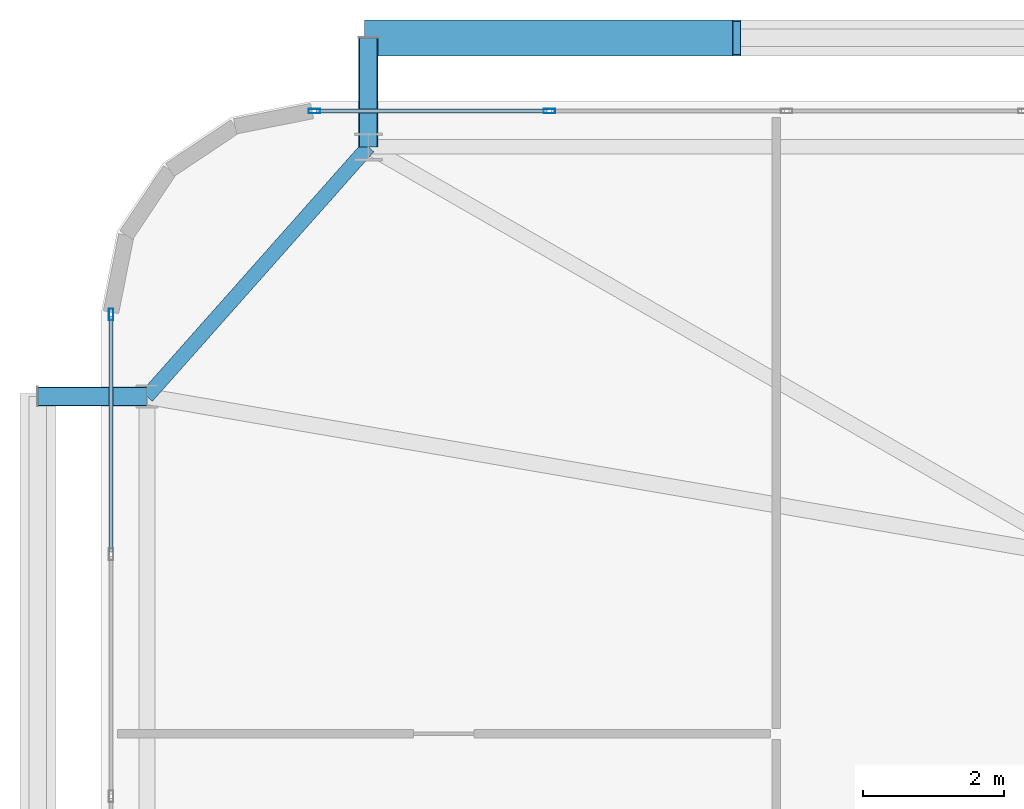
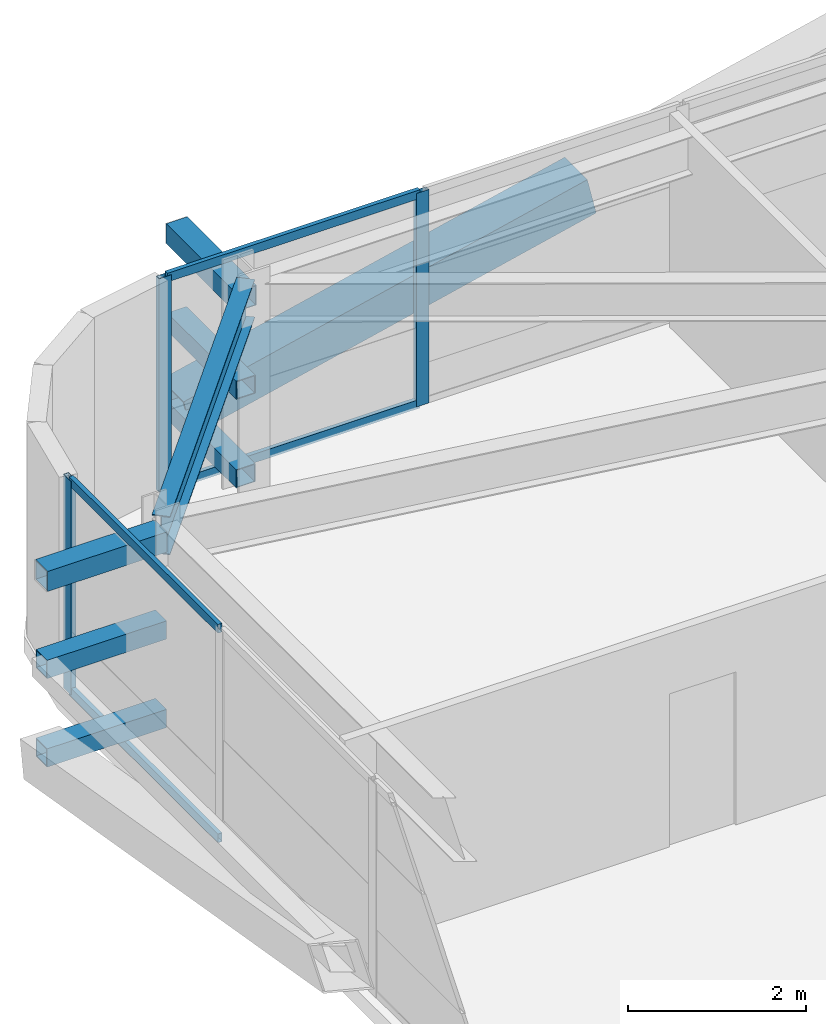
# One storey, part 33 of 59: 14 members, 1 beam, 2 elements without a shape of their own.
"""IFC4 building model written with IfcOpenShell, lengths in metres."""

from ifc_helpers import new_model, si_unit, direction, frame, origin, origin_2d, place, context, subcontext, project, spatial, hollow_rectangle, i_section, extrude, source, transform, mapped, material, layer, layer_set, material_profile, profile_set, type_object, element, aggregate, save


model = new_model("IFC4")

# Units and contexts
model_context = context("Model", 3, precision=1e-05, world=origin(), true_north=direction((0.0, 1.0)))
body_context = subcontext(model_context, "Body", "Model", "MODEL_VIEW")
ifc_project = project(units=[si_unit("LENGTHUNIT", "METRE"), si_unit("AREAUNIT", "SQUARE_METRE"), si_unit("VOLUMEUNIT", "CUBIC_METRE"), si_unit("PLANEANGLEUNIT", "RADIAN"), si_unit("MASSUNIT", "GRAM", prefix="KILO")], contexts=[model_context])

# Site, building, storey
site_placement = place(None, origin())
site = spatial("IfcSite", under=ifc_project, at=site_placement, CompositionType="ELEMENT")
building_placement = place(site_placement, origin())
building = spatial("IfcBuilding", under=site, at=building_placement, Name="Taldren Reach Tower", CompositionType="ELEMENT")
storey_placement = place(building_placement, frame((0.0, 0.0, 29.39990234375)))
storey = spatial("IfcBuildingStorey", under=building, at=storey_placement, Name="L08", CompositionType="ELEMENT", Elevation=29.39990234375)

# Beam
ifc_material_1 = material(Name="Steel Gr 350 (350PLUS)", Category="steel")
ifc_material_profile_1 = material_profile(ifc_material_1, i_section(OverallWidth=0.208984375, OverallDepth=0.528076171875, WebThickness=0.009521484375, FlangeThickness=0.01318359375, at=origin_2d()), Name="530UB82.0")
ifc_profile_set_1 = profile_set([ifc_material_profile_1], Name="Steel Gr 350 (350PLUS)")
beam_type = type_object("IfcBeamType", Name="SP-UB530B", PredefinedType="SPANDREL", material=ifc_profile_set_1)
shared_shape_1 = source(origin(), body_context, "Body", "SweptSolid", [
    extrude(i_section(OverallWidth=0.208984375, OverallDepth=0.528076171875, WebThickness=0.009521484375, FlangeThickness=0.01318359375, at=origin_2d()), origin(), (0.0, 0.0, 1.0), 4.74609375),
])
beam_placement = place(storey_placement, frame((8.800048828125, 37.85009765625, 2.666015625), z_axis=(-0.663721843779, -0.747979487747, 0.0), x_axis=(0.747979487747, -0.663721843779, 0.0)))
element("IfcBeam", 1, at=beam_placement, inside=storey, type_object=beam_type, Name="Perimeter spandrel B1 N1-W3 L08", PredefinedType="SPANDREL", context=body_context, shape_type="MappedRepresentation", body=[
    mapped(shared_shape_1, transform((0.0, 0.0, 0.0), scale=1.0)),
])

# Members
ifc_material_2 = material(Name="Steel Gr 450 (C450L0)", Category="steel")
ifc_material_profile_2 = material_profile(ifc_material_2, hollow_rectangle(XDim=0.27490234375, YDim=0.27490234375, WallThickness=0.00927734375, at=origin_2d()), Name="275x275x9.3SHS")
ifc_profile_set_2 = profile_set([ifc_material_profile_2], Name="Steel Gr 450 (C450L0)")
member_type_1 = type_object("IfcMemberType", Name="MB-TIE273", PredefinedType="STRUT", material=ifc_profile_set_2)
shared_shape_2 = source(origin(), body_context, "Body", "SweptSolid", [
    extrude(hollow_rectangle(XDim=0.27490234375, YDim=0.27490234375, WallThickness=0.00927734375, at=origin_2d()), origin(), (0.0, 0.0, 1.0), 1.5498046875),
])
for number, where, z_axis, x_axis, name in (
    (2, (8.800048828125, 37.85009765625, 2.650146484375), (0.0, 1.0, 0.0), (-1.0, 0.0, 0.0), "Exoskeleton diaphragm tie strut B1-N1 L08"),
    (3, (5.64990234375, 34.300048828125, 2.650146484375), (-1.0, 0.0, 0.0), (0.0, -1.0, 0.0), "Exoskeleton diaphragm tie strut B1-W3 L08"),
):
    element("IfcMember", number, at=place(storey_placement, frame(where, z_axis=z_axis, x_axis=x_axis)), inside=storey, type_object=member_type_1, Name=name, PredefinedType="STRUT", context=body_context, shape_type="MappedRepresentation", body=[
        mapped(shared_shape_2, transform((0.0, 0.0, 0.0), scale=1.0)),
    ])
ifc_material_profile_3 = material_profile(ifc_material_2, hollow_rectangle(XDim=0.510009765625, YDim=0.510009765625, WallThickness=0.02001953125, at=origin_2d()), Name="510x510x20.0SHS")
ifc_profile_set_3 = profile_set([ifc_material_profile_3], Name="Steel Gr 450 (C450L0)")
member_type_2 = type_object("IfcMemberType", Name="MB-EXO508", PredefinedType="BRACE", material=ifc_profile_set_3)
shared_shape_3 = source(origin(), body_context, "Body", "SweptSolid", [
    extrude(hollow_rectangle(XDim=0.510009765625, YDim=0.510009765625, WallThickness=0.02001953125, at=origin_2d()), origin(), (0.0, 0.0, 1.0), 5.37890625),
])
member_1_placement = place(storey_placement, frame((8.800048828125, 39.39990234375, 0.22021484375), z_axis=(0.974161966843, 0.0, 0.225850531007), x_axis=(0.0, 1.0, 0.0)))
element("IfcMember", 4, at=member_1_placement, inside=storey, type_object=member_type_2, Name="Exoskeleton Diagrid Brace B1-N1 L08", PredefinedType="BRACE", context=body_context, shape_type="MappedRepresentation", body=[
    mapped(shared_shape_3, transform((0.0, 0.0, 0.0), scale=1.0)),
])
ifc_material_3 = material(Name="Steel Gr 350 (C350L0)", Category="steel")
ifc_material_profile_4 = material_profile(ifc_material_3, hollow_rectangle(XDim=0.25, YDim=0.25, WallThickness=0.010009765625, at=origin_2d()), Name="250x250x10.0SHS")
ifc_profile_set_4 = profile_set([ifc_material_profile_4], Name="Steel Gr 350 (C350L0)")
member_type_3 = type_object("IfcMemberType", Name="MB-POST250", PredefinedType="POST", material=ifc_profile_set_4)
shared_shape_4 = source(origin(), body_context, "Body", "SweptSolid", [
    extrude(hollow_rectangle(XDim=0.25, YDim=0.25, WallThickness=0.010009765625, at=origin_2d()), origin(), (0.0, 0.0, 1.0), 1.5498046875),
])
for number, where, z_axis, x_axis, name in (
    (5, (8.800048828125, 37.85009765625, 0.22021484375), (0.0, 1.0, 0.0), (-1.0, 0.0, 0.0), "Exoskeleton base diaphragm tie strut B1-N1 L08"),
    (6, (5.64990234375, 34.300048828125, 0.22021484375), (-1.0, 0.0, 0.0), (0.0, -1.0, 0.0), "Exoskeleton base diaphragm tie strut B1-W3 L08"),
    (7, (8.800048828125, 37.85009765625, 1.43505859375), (0.0, 1.0, 0.0), (-1.0, 0.0, 0.0), "Exoskeleton mid-tier diaphragm tie B1-N1 L08"),
    (8, (5.64990234375, 34.300048828125, 1.43505859375), (-1.0, 0.0, 0.0), (0.0, -1.0, 0.0), "Exoskeleton mid-tier diaphragm tie B1-W3 L08"),
):
    element("IfcMember", number, at=place(storey_placement, frame(where, z_axis=z_axis, x_axis=x_axis)), inside=storey, type_object=member_type_3, Name=name, PredefinedType="POST", context=body_context, shape_type="MappedRepresentation", body=[
        mapped(shared_shape_4, transform((0.0, 0.0, 0.0), scale=1.0)),
    ])

# Curtain wall, members
ifc_material_4 = material(Name="Aluminium and Low-E Glass Unitised System", Category="aluminium")
ifc_layer = layer(ifc_material_4, 0.159912109375)
ifc_layer_set = layer_set([ifc_layer], Name="Aluminium and Low-E Glass Unitised System")
curtain_wall_type = type_object("IfcCurtainWallType", Name="CW-SYS-2", PredefinedType="NOTDEFINED", material=ifc_layer_set)
curtain_wall_1_placement = place(storey_placement, origin())
curtain_wall_1 = element("IfcCurtainWall", 9, at=curtain_wall_1_placement, inside=storey, type_object=curtain_wall_type, Name="Unitised curtain wall CW-L08-N", PredefinedType="NOTDEFINED")
ifc_material_5 = material(Name="Anodised Aluminium 6063-T6", Category="aluminium")
ifc_material_profile_5 = material_profile(ifc_material_5, hollow_rectangle(XDim=0.054931640625, YDim=0.1201171875, WallThickness=0.0029296875, at=origin_2d()), Name="ALU-120x55x3RHS")
ifc_profile_set_5 = profile_set([ifc_material_profile_5], Name="Anodised Aluminium 6063-T6")
member_type_4 = type_object("IfcMemberType", Name="CW-TRN-135", PredefinedType="USERDEFINED", material=ifc_profile_set_5)
shared_shape_5 = source(origin(), body_context, "Body", "SweptSolid", [
    extrude(hollow_rectangle(XDim=0.054931640625, YDim=0.1201171875, WallThickness=0.0029296875, at=origin_2d()), origin(), (0.0, 0.0, 1.0), 3.277587890625),
])
member_2_placement = place(storey_placement, frame((11.342529296875, 38.360107421875, 0.027587890625), z_axis=(-1.0, 0.0, 0.0), x_axis=(0.0, -1.0, 0.0)))
member_2 = element("IfcMember", 10, at=member_2_placement, type_object=member_type_4, Name="CW-2 transom 16.1", ObjectType="TRANSOM", PredefinedType="USERDEFINED", context=body_context, shape_type="MappedRepresentation", body=[
    mapped(shared_shape_5, transform((0.0, 0.0, 0.0), scale=1.0)),
])
member_3_placement = place(storey_placement, frame((11.342529296875, 38.360107421875, 2.902587890625), z_axis=(-1.0, 0.0, 0.0), x_axis=(0.0, -1.0, 0.0)))
member_3 = element("IfcMember", 11, at=member_3_placement, type_object=member_type_4, Name="CW-2 transom 16.2", ObjectType="TRANSOM", PredefinedType="USERDEFINED", context=body_context, shape_type="MappedRepresentation", body=[
    mapped(shared_shape_5, transform((0.0, 0.0, 0.0), scale=1.0)),
])

curtain_wall_2_placement = place(storey_placement, origin())
curtain_wall_2 = element("IfcCurtainWall", 12, at=curtain_wall_2_placement, inside=storey, type_object=curtain_wall_type, Name="Unitised curtain wall CW-L08-W", PredefinedType="NOTDEFINED")
shared_shape_6 = source(origin(), body_context, "Body", "SweptSolid", [
    extrude(hollow_rectangle(XDim=0.054931640625, YDim=0.1201171875, WallThickness=0.0029296875, at=origin_2d()), origin(), (0.0, 0.0, 1.0), 3.346923828125),
])
member_4_placement = place(storey_placement, frame((5.139892578125, 35.43505859375, 0.027587890625), z_axis=(0.0, -1.0, 0.0), x_axis=(1.0, 0.0, 0.0)))
member_4 = element("IfcMember", 13, at=member_4_placement, type_object=member_type_4, Name="CW-2 transom 1.1", ObjectType="TRANSOM", PredefinedType="USERDEFINED", context=body_context, shape_type="MappedRepresentation", body=[
    mapped(shared_shape_6, transform((0.0, 0.0, 0.0), scale=1.0)),
])
member_5_placement = place(storey_placement, frame((5.139892578125, 35.43505859375, 2.902587890625), z_axis=(0.0, -1.0, 0.0), x_axis=(1.0, 0.0, 0.0)))
member_5 = element("IfcMember", 14, at=member_5_placement, type_object=member_type_4, Name="CW-2 transom 1.2", ObjectType="TRANSOM", PredefinedType="USERDEFINED", context=body_context, shape_type="MappedRepresentation", body=[
    mapped(shared_shape_6, transform((0.0, 0.0, 0.0), scale=1.0)),
])

# Member
ifc_material_profile_6 = material_profile(ifc_material_5, hollow_rectangle(XDim=0.06494140625, YDim=0.1650390625, WallThickness=0.00390625, at=origin_2d()), Name="ALU-165x65x4RHS")
ifc_profile_set_6 = profile_set([ifc_material_profile_6], Name="Anodised Aluminium 6063-T6")
member_type_5 = type_object("IfcMemberType", Name="CW-MUL-165", PredefinedType="MULLION", material=ifc_profile_set_6)
shared_shape_7 = source(origin(), body_context, "Body", "SweptSolid", [
    extrude(hollow_rectangle(XDim=0.06494140625, YDim=0.1650390625, WallThickness=0.00390625, at=origin_2d()), origin(), (0.0, 0.0, 1.0), 2.93017578125),
])
member_6_placement = place(storey_placement, frame((11.375, 38.360107421875, 0.0), z_axis=(0.0, 0.0, 1.0), x_axis=(0.0, -1.0, 0.0)))
member_6 = element("IfcMember", 15, at=member_6_placement, type_object=member_type_5, Name="CW-2 mullion 16", PredefinedType="MULLION", context=body_context, shape_type="MappedRepresentation", body=[
    mapped(shared_shape_7, transform((0.0, 0.0, 0.0), scale=1.0)),
])

member_7_placement = place(storey_placement, frame((8.032470703125, 38.360107421875, 0.0), z_axis=(0.0, 0.0, 1.0), x_axis=(0.0, -1.0, 0.0)))
member_7 = element("IfcMember", 16, at=member_7_placement, type_object=member_type_5, Name="CW-2 mullion 17", PredefinedType="MULLION", context=body_context, shape_type="MappedRepresentation", body=[
    mapped(shared_shape_7, transform((0.0, 0.0, 0.0), scale=1.0)),
])

aggregate(curtain_wall_1, [member_6, member_7, member_2, member_3])

member_8_placement = place(storey_placement, frame((5.139892578125, 35.467529296875, 0.0), z_axis=(0.0, 0.0, 1.0), x_axis=(1.0, 0.0, 0.0)))
member_8 = element("IfcMember", 17, at=member_8_placement, type_object=member_type_5, Name="CW-2 mullion 1", PredefinedType="MULLION", context=body_context, shape_type="MappedRepresentation", body=[
    mapped(shared_shape_7, transform((0.0, 0.0, 0.0), scale=1.0)),
])

aggregate(curtain_wall_2, [member_8, member_4, member_5])

save(model, "model.ifc")
